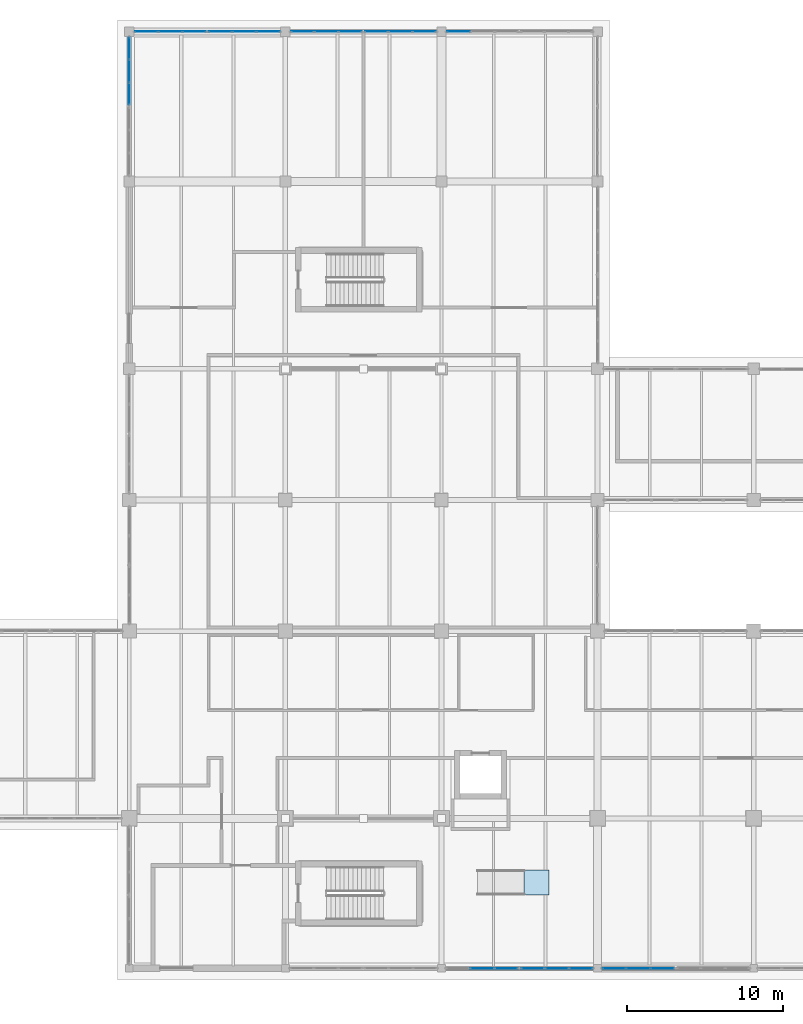
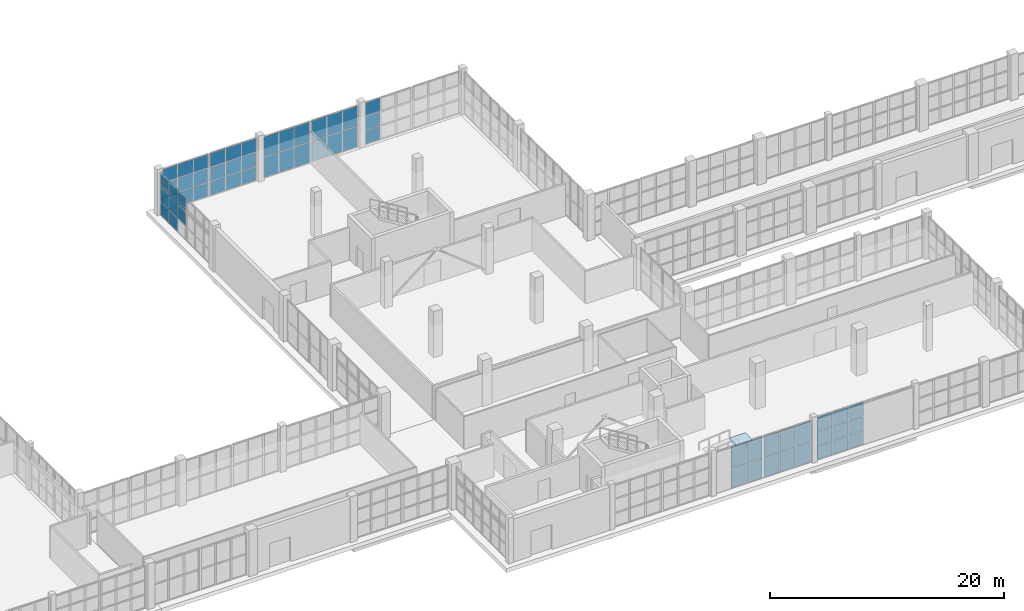
# One storey, part 84 of 121: 60 plates, 1 slab, 10 elements without a shape of their own.
"""IFC4 building model written with IfcOpenShell, lengths in metres."""

from ifc_helpers import new_model, si_unit, direction, frame, origin, origin_2d, place, context, subcontext, project, spatial, polyline, rectangle, outline, extrude, material, layer, layer_set, type_object, element, aggregate, save


model = new_model("IFC4")

# Units and contexts
model_context = context("Model", 3, precision=1e-05, world=origin(), true_north=direction((0.0, 1.0)))
body_context = subcontext(model_context, "Body", "Model", "MODEL_VIEW")
ifc_project = project(units=[si_unit("LENGTHUNIT", "METRE"), si_unit("AREAUNIT", "SQUARE_METRE"), si_unit("VOLUMEUNIT", "CUBIC_METRE"), si_unit("PLANEANGLEUNIT", "RADIAN"), si_unit("MASSUNIT", "GRAM", prefix="KILO")], contexts=[model_context])

# Site, building, storey
site_placement = place(None, origin())
site = spatial("IfcSite", under=ifc_project, at=site_placement, CompositionType="ELEMENT")
building_placement = place(site_placement, origin())
building = spatial("IfcBuilding", under=site, at=building_placement, Name="Zereglee Splitstone Museum", CompositionType="ELEMENT")
storey_placement = place(building_placement, origin())
storey = spatial("IfcBuildingStorey", under=building, at=storey_placement, Name="L00", CompositionType="ELEMENT", Elevation=0.0)

# Curtain wall, plates
ifc_material_1 = material(Name="Triple-glazed low-E argon glass and bronze-anodised aluminium", Category="aluminium")
ifc_layer_1 = layer(ifc_material_1, 0.179931640625)
ifc_layer_set_1 = layer_set([ifc_layer_1], Name="Triple-glazed low-E argon glass and bronze-anodised aluminium")
curtain_wall_type_1 = type_object("IfcCurtainWallType", Name="CW-0470-438", PredefinedType="USERDEFINED", material=ifc_layer_set_1)
curtain_wall_1_placement = place(storey_placement, origin())
curtain_wall_1 = element("IfcCurtainWall", 1, at=curtain_wall_1_placement, inside=storey, type_object=curtain_wall_type_1, Name="Glazed Curtain Wall CW-0470-438 (L00)", ObjectType="GLAZED CURTAIN WALL", PredefinedType="USERDEFINED")
ifc_material_2 = material(Name="Triple low-e argon insulated safety glass", Category="glass")
ifc_layer_2 = layer(ifc_material_2, 0.035888671875)
ifc_layer_set_2 = layer_set([ifc_layer_2], Name="Triple low-e argon insulated safety glass")
plate_type = type_object("IfcPlateType", Name="CWP-01", PredefinedType="CURTAIN_PANEL", material=ifc_layer_set_2)
plate_1_placement = place(storey_placement, frame((197.80908203125, 0.0, 0.06494140625), z_axis=(0.0, 0.0, 1.0), x_axis=(1.0, 0.0, 0.0)))
plate_1 = element("IfcPlate", 2, at=plate_1_placement, type_object=plate_type, Name="CW-0470-438 panel 2.1", PredefinedType="CURTAIN_PANEL", context=body_context, shape_type="SweptSolid", body=[
    extrude(rectangle(XDim=1.50244140625, YDim=0.035888671875, at=origin_2d()), origin(), (0.0, 0.0, 1.0), 2.092529296875),
])
plate_2_placement = place(storey_placement, frame((197.80908203125, 0.0, 2.22265625), z_axis=(0.0, 0.0, 1.0), x_axis=(1.0, 0.0, 0.0)))
plate_2 = element("IfcPlate", 3, at=plate_2_placement, type_object=plate_type, Name="CW-0470-438 panel 2.2", PredefinedType="CURTAIN_PANEL", context=body_context, shape_type="SweptSolid", body=[
    extrude(rectangle(XDim=1.50244140625, YDim=0.035888671875, at=origin_2d()), origin(), (0.0, 0.0, 1.0), 2.092529296875),
])
plate_3_placement = place(storey_placement, frame((199.360107421875, 0.0, 0.06494140625), z_axis=(0.0, 0.0, 1.0), x_axis=(1.0, 0.0, 0.0)))
plate_3 = element("IfcPlate", 4, at=plate_3_placement, type_object=plate_type, Name="CW-0470-438 panel 3.1", PredefinedType="CURTAIN_PANEL", context=body_context, shape_type="SweptSolid", body=[
    extrude(rectangle(XDim=1.4697265625, YDim=0.035888671875, at=origin_2d()), origin(), (0.0, 0.0, 1.0), 2.092529296875),
])
plate_4_placement = place(storey_placement, frame((199.360107421875, 0.0, 2.22265625), z_axis=(0.0, 0.0, 1.0), x_axis=(1.0, 0.0, 0.0)))
plate_4 = element("IfcPlate", 5, at=plate_4_placement, type_object=plate_type, Name="CW-0470-438 panel 3.2", PredefinedType="CURTAIN_PANEL", context=body_context, shape_type="SweptSolid", body=[
    extrude(rectangle(XDim=1.4697265625, YDim=0.035888671875, at=origin_2d()), origin(), (0.0, 0.0, 1.0), 2.092529296875),
])
aggregate(curtain_wall_1, [plate_1, plate_2, plate_3, plate_4])

ifc_layer_3 = layer(ifc_material_1, 0.179931640625)
ifc_layer_set_3 = layer_set([ifc_layer_3], Name="Triple-glazed low-E argon glass and bronze-anodised aluminium")
curtain_wall_type_2 = type_object("IfcCurtainWallType", Name="CW-0470-436", PredefinedType="USERDEFINED", material=ifc_layer_set_3)
curtain_wall_2_placement = place(storey_placement, origin())
curtain_wall_2 = element("IfcCurtainWall", 6, at=curtain_wall_2_placement, inside=storey, type_object=curtain_wall_type_2, Name="Glazed Curtain Wall CW-0470-436 (L00)", ObjectType="GLAZED CURTAIN WALL", PredefinedType="USERDEFINED")
plate_5_placement = place(storey_placement, frame((201.039794921875, 0.0, 0.06494140625), z_axis=(0.0, 0.0, 1.0), x_axis=(1.0, 0.0, 0.0)))
plate_5 = element("IfcPlate", 7, at=plate_5_placement, type_object=plate_type, Name="CW-0470-436 panel 1.1", PredefinedType="CURTAIN_PANEL", context=body_context, shape_type="SweptSolid", body=[
    extrude(rectangle(XDim=1.4697265625, YDim=0.035888671875, at=origin_2d()), origin(), (0.0, 0.0, 1.0), 2.08251953125),
])
plate_6_placement = place(storey_placement, frame((201.039794921875, 0.0, 2.21240234375), z_axis=(0.0, 0.0, 1.0), x_axis=(1.0, 0.0, 0.0)))
plate_6 = element("IfcPlate", 8, at=plate_6_placement, type_object=plate_type, Name="CW-0470-436 panel 1.2", PredefinedType="CURTAIN_PANEL", context=body_context, shape_type="SweptSolid", body=[
    extrude(rectangle(XDim=1.4697265625, YDim=0.035888671875, at=origin_2d()), origin(), (0.0, 0.0, 1.0), 2.08251953125),
])
plate_7_placement = place(storey_placement, frame((202.591064453125, 0.0, 0.06494140625), z_axis=(0.0, 0.0, 1.0), x_axis=(1.0, 0.0, 0.0)))
plate_7 = element("IfcPlate", 9, at=plate_7_placement, type_object=plate_type, Name="CW-0470-436 panel 2.1", PredefinedType="CURTAIN_PANEL", context=body_context, shape_type="SweptSolid", body=[
    extrude(rectangle(XDim=1.50244140625, YDim=0.035888671875, at=origin_2d()), origin(), (0.0, 0.0, 1.0), 2.08251953125),
])
plate_8_placement = place(storey_placement, frame((202.591064453125, 0.0, 2.21240234375), z_axis=(0.0, 0.0, 1.0), x_axis=(1.0, 0.0, 0.0)))
plate_8 = element("IfcPlate", 10, at=plate_8_placement, type_object=plate_type, Name="CW-0470-436 panel 2.2", PredefinedType="CURTAIN_PANEL", context=body_context, shape_type="SweptSolid", body=[
    extrude(rectangle(XDim=1.50244140625, YDim=0.035888671875, at=origin_2d()), origin(), (0.0, 0.0, 1.0), 2.08251953125),
])
plate_9_placement = place(storey_placement, frame((204.14208984375, 0.0, 0.06494140625), z_axis=(0.0, 0.0, 1.0), x_axis=(1.0, 0.0, 0.0)))
plate_9 = element("IfcPlate", 11, at=plate_9_placement, type_object=plate_type, Name="CW-0470-436 panel 3.1", PredefinedType="CURTAIN_PANEL", context=body_context, shape_type="SweptSolid", body=[
    extrude(rectangle(XDim=1.4697265625, YDim=0.035888671875, at=origin_2d()), origin(), (0.0, 0.0, 1.0), 2.08251953125),
])
plate_10_placement = place(storey_placement, frame((204.14208984375, 0.0, 2.21240234375), z_axis=(0.0, 0.0, 1.0), x_axis=(1.0, 0.0, 0.0)))
plate_10 = element("IfcPlate", 12, at=plate_10_placement, type_object=plate_type, Name="CW-0470-436 panel 3.2", PredefinedType="CURTAIN_PANEL", context=body_context, shape_type="SweptSolid", body=[
    extrude(rectangle(XDim=1.4697265625, YDim=0.035888671875, at=origin_2d()), origin(), (0.0, 0.0, 1.0), 2.08251953125),
])
aggregate(curtain_wall_2, [plate_5, plate_6, plate_7, plate_8, plate_9, plate_10])

ifc_layer_4 = layer(ifc_material_1, 0.179931640625)
ifc_layer_set_4 = layer_set([ifc_layer_4], Name="Triple-glazed low-E argon glass and bronze-anodised aluminium")
curtain_wall_type_3 = type_object("IfcCurtainWallType", Name="CW-0470-450", PredefinedType="USERDEFINED", material=ifc_layer_set_4)
curtain_wall_3_placement = place(storey_placement, origin())
curtain_wall_3 = element("IfcCurtainWall", 13, at=curtain_wall_3_placement, inside=storey, type_object=curtain_wall_type_3, Name="Glazed Curtain Wall CW-0470-450 (L00)", ObjectType="GLAZED CURTAIN WALL", PredefinedType="USERDEFINED")
plate_11_placement = place(storey_placement, frame((206.2578125, 0.0, 0.06494140625), z_axis=(0.0, 0.0, 1.0), x_axis=(1.0, 0.0, 0.0)))
plate_11 = element("IfcPlate", 14, at=plate_11_placement, type_object=plate_type, Name="CW-0470-450 panel 1.1", PredefinedType="CURTAIN_PANEL", context=body_context, shape_type="SweptSolid", body=[
    extrude(rectangle(XDim=1.4697265625, YDim=0.035888671875, at=origin_2d()), origin(), (0.0, 0.0, 1.0), 1.402587890625),
])
plate_12_placement = place(storey_placement, frame((206.2578125, 0.0, 1.532470703125), z_axis=(0.0, 0.0, 1.0), x_axis=(1.0, 0.0, 0.0)))
plate_12 = element("IfcPlate", 15, at=plate_12_placement, type_object=plate_type, Name="CW-0470-450 panel 1.2", PredefinedType="CURTAIN_PANEL", context=body_context, shape_type="SweptSolid", body=[
    extrude(rectangle(XDim=1.4697265625, YDim=0.035888671875, at=origin_2d()), origin(), (0.0, 0.0, 1.0), 1.43505859375),
])
plate_13_placement = place(storey_placement, frame((206.2578125, 0.0, 3.0322265625), z_axis=(0.0, 0.0, 1.0), x_axis=(1.0, 0.0, 0.0)))
plate_13 = element("IfcPlate", 16, at=plate_13_placement, type_object=plate_type, Name="CW-0470-450 panel 1.3", PredefinedType="CURTAIN_PANEL", context=body_context, shape_type="SweptSolid", body=[
    extrude(rectangle(XDim=1.4697265625, YDim=0.035888671875, at=origin_2d()), origin(), (0.0, 0.0, 1.0), 1.402587890625),
])
plate_14_placement = place(storey_placement, frame((207.80908203125, 0.0, 0.06494140625), z_axis=(0.0, 0.0, 1.0), x_axis=(1.0, 0.0, 0.0)))
plate_14 = element("IfcPlate", 17, at=plate_14_placement, type_object=plate_type, Name="CW-0470-450 panel 2.1", PredefinedType="CURTAIN_PANEL", context=body_context, shape_type="SweptSolid", body=[
    extrude(rectangle(XDim=1.50244140625, YDim=0.035888671875, at=origin_2d()), origin(), (0.0, 0.0, 1.0), 1.402587890625),
])
plate_15_placement = place(storey_placement, frame((207.80908203125, 0.0, 1.532470703125), z_axis=(0.0, 0.0, 1.0), x_axis=(1.0, 0.0, 0.0)))
plate_15 = element("IfcPlate", 18, at=plate_15_placement, type_object=plate_type, Name="CW-0470-450 panel 2.2", PredefinedType="CURTAIN_PANEL", context=body_context, shape_type="SweptSolid", body=[
    extrude(rectangle(XDim=1.50244140625, YDim=0.035888671875, at=origin_2d()), origin(), (0.0, 0.0, 1.0), 1.43505859375),
])
plate_16_placement = place(storey_placement, frame((207.80908203125, 0.0, 3.0322265625), z_axis=(0.0, 0.0, 1.0), x_axis=(1.0, 0.0, 0.0)))
plate_16 = element("IfcPlate", 19, at=plate_16_placement, type_object=plate_type, Name="CW-0470-450 panel 2.3", PredefinedType="CURTAIN_PANEL", context=body_context, shape_type="SweptSolid", body=[
    extrude(rectangle(XDim=1.50244140625, YDim=0.035888671875, at=origin_2d()), origin(), (0.0, 0.0, 1.0), 1.402587890625),
])
plate_17_placement = place(storey_placement, frame((209.360107421875, 0.0, 0.06494140625), z_axis=(0.0, 0.0, 1.0), x_axis=(1.0, 0.0, 0.0)))
plate_17 = element("IfcPlate", 20, at=plate_17_placement, type_object=plate_type, Name="CW-0470-450 panel 3.1", PredefinedType="CURTAIN_PANEL", context=body_context, shape_type="SweptSolid", body=[
    extrude(rectangle(XDim=1.4697265625, YDim=0.035888671875, at=origin_2d()), origin(), (0.0, 0.0, 1.0), 1.402587890625),
])
plate_18_placement = place(storey_placement, frame((209.360107421875, 0.0, 1.532470703125), z_axis=(0.0, 0.0, 1.0), x_axis=(1.0, 0.0, 0.0)))
plate_18 = element("IfcPlate", 21, at=plate_18_placement, type_object=plate_type, Name="CW-0470-450 panel 3.2", PredefinedType="CURTAIN_PANEL", context=body_context, shape_type="SweptSolid", body=[
    extrude(rectangle(XDim=1.4697265625, YDim=0.035888671875, at=origin_2d()), origin(), (0.0, 0.0, 1.0), 1.43505859375),
])
plate_19_placement = place(storey_placement, frame((209.360107421875, 0.0, 3.0322265625), z_axis=(0.0, 0.0, 1.0), x_axis=(1.0, 0.0, 0.0)))
plate_19 = element("IfcPlate", 22, at=plate_19_placement, type_object=plate_type, Name="CW-0470-450 panel 3.3", PredefinedType="CURTAIN_PANEL", context=body_context, shape_type="SweptSolid", body=[
    extrude(rectangle(XDim=1.4697265625, YDim=0.035888671875, at=origin_2d()), origin(), (0.0, 0.0, 1.0), 1.402587890625),
])
aggregate(curtain_wall_3, [plate_11, plate_12, plate_13, plate_14, plate_15, plate_16, plate_17, plate_18, plate_19])

ifc_layer_5 = layer(ifc_material_1, 0.179931640625)
ifc_layer_set_5 = layer_set([ifc_layer_5], Name="Triple-glazed low-E argon glass and bronze-anodised aluminium")
curtain_wall_type_4 = type_object("IfcCurtainWallType", Name="CW-0465-442", PredefinedType="USERDEFINED", material=ifc_layer_set_5)
curtain_wall_4_placement = place(storey_placement, origin())
curtain_wall_4 = element("IfcCurtainWall", 23, at=curtain_wall_4_placement, inside=storey, type_object=curtain_wall_type_4, Name="Glazed Curtain Wall CW-0465-442 (L00)", ObjectType="GLAZED CURTAIN WALL", PredefinedType="USERDEFINED")
plate_20_placement = place(storey_placement, frame((196.299560546875, 60.0, 0.06494140625), z_axis=(0.0, 0.0, 1.0), x_axis=(-1.0, 0.0, 0.0)))
plate_20 = element("IfcPlate", 24, at=plate_20_placement, type_object=plate_type, Name="CW-0465-442 panel 3.1", PredefinedType="CURTAIN_PANEL", context=body_context, shape_type="SweptSolid", body=[
    extrude(rectangle(XDim=1.453125, YDim=0.035888671875, at=origin_2d()), origin(), (0.0, 0.0, 1.0), 1.375732421875),
])
plate_21_placement = place(storey_placement, frame((196.299560546875, 60.0, 1.505859375), z_axis=(0.0, 0.0, 1.0), x_axis=(-1.0, 0.0, 0.0)))
plate_21 = element("IfcPlate", 25, at=plate_21_placement, type_object=plate_type, Name="CW-0465-442 panel 3.2", PredefinedType="CURTAIN_PANEL", context=body_context, shape_type="SweptSolid", body=[
    extrude(rectangle(XDim=1.453125, YDim=0.035888671875, at=origin_2d()), origin(), (0.0, 0.0, 1.0), 1.408447265625),
])
plate_22_placement = place(storey_placement, frame((196.299560546875, 60.0, 2.97900390625), z_axis=(0.0, 0.0, 1.0), x_axis=(-1.0, 0.0, 0.0)))
plate_22 = element("IfcPlate", 26, at=plate_22_placement, type_object=plate_type, Name="CW-0465-442 panel 3.3", PredefinedType="CURTAIN_PANEL", context=body_context, shape_type="SweptSolid", body=[
    extrude(rectangle(XDim=1.453125, YDim=0.035888671875, at=origin_2d()), origin(), (0.0, 0.0, 1.0), 1.375732421875),
])
aggregate(curtain_wall_4, [plate_20, plate_21, plate_22])

ifc_layer_6 = layer(ifc_material_1, 0.179931640625)
ifc_layer_set_6 = layer_set([ifc_layer_6], Name="Triple-glazed low-E argon glass and bronze-anodised aluminium")
curtain_wall_type_5 = type_object("IfcCurtainWallType", Name="CW-0465-438", PredefinedType="USERDEFINED", material=ifc_layer_set_6)
curtain_wall_5_placement = place(storey_placement, origin())
curtain_wall_5 = element("IfcCurtainWall", 27, at=curtain_wall_5_placement, inside=storey, type_object=curtain_wall_type_5, Name="Glazed Curtain Wall CW-0465-438 (L00)", ObjectType="GLAZED CURTAIN WALL", PredefinedType="USERDEFINED")
plate_23_placement = place(storey_placement, frame((194.100341796875, 60.0, 0.06494140625), z_axis=(0.0, 0.0, 1.0), x_axis=(-1.0, 0.0, 0.0)))
plate_23 = element("IfcPlate", 28, at=plate_23_placement, type_object=plate_type, Name="CW-0465-438 panel 1.1", PredefinedType="CURTAIN_PANEL", context=body_context, shape_type="SweptSolid", body=[
    extrude(rectangle(XDim=1.453125, YDim=0.035888671875, at=origin_2d()), origin(), (0.0, 0.0, 1.0), 2.092529296875),
])
plate_24_placement = place(storey_placement, frame((194.100341796875, 60.0, 2.22265625), z_axis=(0.0, 0.0, 1.0), x_axis=(-1.0, 0.0, 0.0)))
plate_24 = element("IfcPlate", 29, at=plate_24_placement, type_object=plate_type, Name="CW-0465-438 panel 1.2", PredefinedType="CURTAIN_PANEL", context=body_context, shape_type="SweptSolid", body=[
    extrude(rectangle(XDim=1.453125, YDim=0.035888671875, at=origin_2d()), origin(), (0.0, 0.0, 1.0), 2.092529296875),
])
plate_25_placement = place(storey_placement, frame((192.56591796875, 60.0, 0.06494140625), z_axis=(0.0, 0.0, 1.0), x_axis=(-1.0, 0.0, 0.0)))
plate_25 = element("IfcPlate", 30, at=plate_25_placement, type_object=plate_type, Name="CW-0465-438 panel 2.1", PredefinedType="CURTAIN_PANEL", context=body_context, shape_type="SweptSolid", body=[
    extrude(rectangle(XDim=1.485595703125, YDim=0.035888671875, at=origin_2d()), origin(), (0.0, 0.0, 1.0), 2.092529296875),
])
plate_26_placement = place(storey_placement, frame((192.56591796875, 60.0, 2.22265625), z_axis=(0.0, 0.0, 1.0), x_axis=(-1.0, 0.0, 0.0)))
plate_26 = element("IfcPlate", 31, at=plate_26_placement, type_object=plate_type, Name="CW-0465-438 panel 2.2", PredefinedType="CURTAIN_PANEL", context=body_context, shape_type="SweptSolid", body=[
    extrude(rectangle(XDim=1.485595703125, YDim=0.035888671875, at=origin_2d()), origin(), (0.0, 0.0, 1.0), 2.092529296875),
])
plate_27_placement = place(storey_placement, frame((191.031494140625, 60.0, 0.06494140625), z_axis=(0.0, 0.0, 1.0), x_axis=(-1.0, 0.0, 0.0)))
plate_27 = element("IfcPlate", 32, at=plate_27_placement, type_object=plate_type, Name="CW-0465-438 panel 3.1", PredefinedType="CURTAIN_PANEL", context=body_context, shape_type="SweptSolid", body=[
    extrude(rectangle(XDim=1.453125, YDim=0.035888671875, at=origin_2d()), origin(), (0.0, 0.0, 1.0), 2.092529296875),
])
plate_28_placement = place(storey_placement, frame((191.031494140625, 60.0, 2.22265625), z_axis=(0.0, 0.0, 1.0), x_axis=(-1.0, 0.0, 0.0)))
plate_28 = element("IfcPlate", 33, at=plate_28_placement, type_object=plate_type, Name="CW-0465-438 panel 3.2", PredefinedType="CURTAIN_PANEL", context=body_context, shape_type="SweptSolid", body=[
    extrude(rectangle(XDim=1.453125, YDim=0.035888671875, at=origin_2d()), origin(), (0.0, 0.0, 1.0), 2.092529296875),
])
aggregate(curtain_wall_5, [plate_23, plate_24, plate_25, plate_26, plate_27, plate_28])

ifc_layer_7 = layer(ifc_material_1, 0.179931640625)
ifc_layer_set_7 = layer_set([ifc_layer_7], Name="Triple-glazed low-E argon glass and bronze-anodised aluminium")
curtain_wall_type_6 = type_object("IfcCurtainWallType", Name="CW-0465-436", PredefinedType="USERDEFINED", material=ifc_layer_set_7)
curtain_wall_6_placement = place(storey_placement, origin())
curtain_wall_6 = element("IfcCurtainWall", 34, at=curtain_wall_6_placement, inside=storey, type_object=curtain_wall_type_6, Name="Glazed Curtain Wall CW-0465-436 (L00)", ObjectType="GLAZED CURTAIN WALL", PredefinedType="USERDEFINED")
plate_29_placement = place(storey_placement, frame((189.368408203125, 60.0, 0.06494140625), z_axis=(0.0, 0.0, 1.0), x_axis=(-1.0, 0.0, 0.0)))
plate_29 = element("IfcPlate", 35, at=plate_29_placement, type_object=plate_type, Name="CW-0465-436 panel 1.1", PredefinedType="CURTAIN_PANEL", context=body_context, shape_type="SweptSolid", body=[
    extrude(rectangle(XDim=1.453125, YDim=0.035888671875, at=origin_2d()), origin(), (0.0, 0.0, 1.0), 2.08251953125),
])
plate_30_placement = place(storey_placement, frame((189.368408203125, 60.0, 2.21240234375), z_axis=(0.0, 0.0, 1.0), x_axis=(-1.0, 0.0, 0.0)))
plate_30 = element("IfcPlate", 36, at=plate_30_placement, type_object=plate_type, Name="CW-0465-436 panel 1.2", PredefinedType="CURTAIN_PANEL", context=body_context, shape_type="SweptSolid", body=[
    extrude(rectangle(XDim=1.453125, YDim=0.035888671875, at=origin_2d()), origin(), (0.0, 0.0, 1.0), 2.08251953125),
])
plate_31_placement = place(storey_placement, frame((187.833984375, 60.0, 0.06494140625), z_axis=(0.0, 0.0, 1.0), x_axis=(-1.0, 0.0, 0.0)))
plate_31 = element("IfcPlate", 37, at=plate_31_placement, type_object=plate_type, Name="CW-0465-436 panel 2.1", PredefinedType="CURTAIN_PANEL", context=body_context, shape_type="SweptSolid", body=[
    extrude(rectangle(XDim=1.485595703125, YDim=0.035888671875, at=origin_2d()), origin(), (0.0, 0.0, 1.0), 2.08251953125),
])
plate_32_placement = place(storey_placement, frame((187.833984375, 60.0, 2.21240234375), z_axis=(0.0, 0.0, 1.0), x_axis=(-1.0, 0.0, 0.0)))
plate_32 = element("IfcPlate", 38, at=plate_32_placement, type_object=plate_type, Name="CW-0465-436 panel 2.2", PredefinedType="CURTAIN_PANEL", context=body_context, shape_type="SweptSolid", body=[
    extrude(rectangle(XDim=1.485595703125, YDim=0.035888671875, at=origin_2d()), origin(), (0.0, 0.0, 1.0), 2.08251953125),
])
plate_33_placement = place(storey_placement, frame((186.299560546875, 60.0, 0.06494140625), z_axis=(0.0, 0.0, 1.0), x_axis=(-1.0, 0.0, 0.0)))
plate_33 = element("IfcPlate", 39, at=plate_33_placement, type_object=plate_type, Name="CW-0465-436 panel 3.1", PredefinedType="CURTAIN_PANEL", context=body_context, shape_type="SweptSolid", body=[
    extrude(rectangle(XDim=1.453125, YDim=0.035888671875, at=origin_2d()), origin(), (0.0, 0.0, 1.0), 2.08251953125),
])
plate_34_placement = place(storey_placement, frame((186.299560546875, 60.0, 2.21240234375), z_axis=(0.0, 0.0, 1.0), x_axis=(-1.0, 0.0, 0.0)))
plate_34 = element("IfcPlate", 40, at=plate_34_placement, type_object=plate_type, Name="CW-0465-436 panel 3.2", PredefinedType="CURTAIN_PANEL", context=body_context, shape_type="SweptSolid", body=[
    extrude(rectangle(XDim=1.453125, YDim=0.035888671875, at=origin_2d()), origin(), (0.0, 0.0, 1.0), 2.08251953125),
])
aggregate(curtain_wall_6, [plate_29, plate_30, plate_31, plate_32, plate_33, plate_34])

ifc_layer_8 = layer(ifc_material_1, 0.179931640625)
ifc_layer_set_8 = layer_set([ifc_layer_8], Name="Triple-glazed low-E argon glass and bronze-anodised aluminium")
curtain_wall_type_7 = type_object("IfcCurtainWallType", Name="CW-0465-450", PredefinedType="USERDEFINED", material=ifc_layer_set_8)
curtain_wall_7_placement = place(storey_placement, origin())
curtain_wall_7 = element("IfcCurtainWall", 41, at=curtain_wall_7_placement, inside=storey, type_object=curtain_wall_type_7, Name="Glazed Curtain Wall CW-0465-450 (L00)", ObjectType="GLAZED CURTAIN WALL", PredefinedType="USERDEFINED")
plate_35_placement = place(storey_placement, frame((184.100341796875, 60.0, 0.06494140625), z_axis=(0.0, 0.0, 1.0), x_axis=(-1.0, 0.0, 0.0)))
plate_35 = element("IfcPlate", 42, at=plate_35_placement, type_object=plate_type, Name="CW-0465-450 panel 1.1", PredefinedType="CURTAIN_PANEL", context=body_context, shape_type="SweptSolid", body=[
    extrude(rectangle(XDim=1.453125, YDim=0.035888671875, at=origin_2d()), origin(), (0.0, 0.0, 1.0), 1.402587890625),
])
plate_36_placement = place(storey_placement, frame((184.100341796875, 60.0, 1.532470703125), z_axis=(0.0, 0.0, 1.0), x_axis=(-1.0, 0.0, 0.0)))
plate_36 = element("IfcPlate", 43, at=plate_36_placement, type_object=plate_type, Name="CW-0465-450 panel 1.2", PredefinedType="CURTAIN_PANEL", context=body_context, shape_type="SweptSolid", body=[
    extrude(rectangle(XDim=1.453125, YDim=0.035888671875, at=origin_2d()), origin(), (0.0, 0.0, 1.0), 1.43505859375),
])
plate_37_placement = place(storey_placement, frame((184.100341796875, 60.0, 3.0322265625), z_axis=(0.0, 0.0, 1.0), x_axis=(-1.0, 0.0, 0.0)))
plate_37 = element("IfcPlate", 44, at=plate_37_placement, type_object=plate_type, Name="CW-0465-450 panel 1.3", PredefinedType="CURTAIN_PANEL", context=body_context, shape_type="SweptSolid", body=[
    extrude(rectangle(XDim=1.453125, YDim=0.035888671875, at=origin_2d()), origin(), (0.0, 0.0, 1.0), 1.402587890625),
])
plate_38_placement = place(storey_placement, frame((182.56591796875, 60.0, 0.06494140625), z_axis=(0.0, 0.0, 1.0), x_axis=(-1.0, 0.0, 0.0)))
plate_38 = element("IfcPlate", 45, at=plate_38_placement, type_object=plate_type, Name="CW-0465-450 panel 2.1", PredefinedType="CURTAIN_PANEL", context=body_context, shape_type="SweptSolid", body=[
    extrude(rectangle(XDim=1.485595703125, YDim=0.035888671875, at=origin_2d()), origin(), (0.0, 0.0, 1.0), 1.402587890625),
])
plate_39_placement = place(storey_placement, frame((182.56591796875, 60.0, 1.532470703125), z_axis=(0.0, 0.0, 1.0), x_axis=(-1.0, 0.0, 0.0)))
plate_39 = element("IfcPlate", 46, at=plate_39_placement, type_object=plate_type, Name="CW-0465-450 panel 2.2", PredefinedType="CURTAIN_PANEL", context=body_context, shape_type="SweptSolid", body=[
    extrude(rectangle(XDim=1.485595703125, YDim=0.035888671875, at=origin_2d()), origin(), (0.0, 0.0, 1.0), 1.43505859375),
])
plate_40_placement = place(storey_placement, frame((182.56591796875, 60.0, 3.0322265625), z_axis=(0.0, 0.0, 1.0), x_axis=(-1.0, 0.0, 0.0)))
plate_40 = element("IfcPlate", 47, at=plate_40_placement, type_object=plate_type, Name="CW-0465-450 panel 2.3", PredefinedType="CURTAIN_PANEL", context=body_context, shape_type="SweptSolid", body=[
    extrude(rectangle(XDim=1.485595703125, YDim=0.035888671875, at=origin_2d()), origin(), (0.0, 0.0, 1.0), 1.402587890625),
])
plate_41_placement = place(storey_placement, frame((181.031494140625, 60.0, 0.06494140625), z_axis=(0.0, 0.0, 1.0), x_axis=(-1.0, 0.0, 0.0)))
plate_41 = element("IfcPlate", 48, at=plate_41_placement, type_object=plate_type, Name="CW-0465-450 panel 3.1", PredefinedType="CURTAIN_PANEL", context=body_context, shape_type="SweptSolid", body=[
    extrude(rectangle(XDim=1.453125, YDim=0.035888671875, at=origin_2d()), origin(), (0.0, 0.0, 1.0), 1.402587890625),
])
plate_42_placement = place(storey_placement, frame((181.031494140625, 60.0, 1.532470703125), z_axis=(0.0, 0.0, 1.0), x_axis=(-1.0, 0.0, 0.0)))
plate_42 = element("IfcPlate", 49, at=plate_42_placement, type_object=plate_type, Name="CW-0465-450 panel 3.2", PredefinedType="CURTAIN_PANEL", context=body_context, shape_type="SweptSolid", body=[
    extrude(rectangle(XDim=1.453125, YDim=0.035888671875, at=origin_2d()), origin(), (0.0, 0.0, 1.0), 1.43505859375),
])
plate_43_placement = place(storey_placement, frame((181.031494140625, 60.0, 3.0322265625), z_axis=(0.0, 0.0, 1.0), x_axis=(-1.0, 0.0, 0.0)))
plate_43 = element("IfcPlate", 50, at=plate_43_placement, type_object=plate_type, Name="CW-0465-450 panel 3.3", PredefinedType="CURTAIN_PANEL", context=body_context, shape_type="SweptSolid", body=[
    extrude(rectangle(XDim=1.453125, YDim=0.035888671875, at=origin_2d()), origin(), (0.0, 0.0, 1.0), 1.402587890625),
])
aggregate(curtain_wall_7, [plate_35, plate_36, plate_37, plate_38, plate_39, plate_40, plate_41, plate_42, plate_43])

ifc_layer_9 = layer(ifc_material_1, 0.179931640625)
ifc_layer_set_9 = layer_set([ifc_layer_9], Name="Triple-glazed low-E argon glass and bronze-anodised aluminium")
curtain_wall_type_8 = type_object("IfcCurtainWallType", Name="CW-0465-448", PredefinedType="USERDEFINED", material=ifc_layer_set_9)
curtain_wall_8_placement = place(storey_placement, origin())
curtain_wall_8 = element("IfcCurtainWall", 51, at=curtain_wall_8_placement, inside=storey, type_object=curtain_wall_type_8, Name="Glazed Curtain Wall CW-0465-448 (L00)", ObjectType="GLAZED CURTAIN WALL", PredefinedType="USERDEFINED")
plate_44_placement = place(storey_placement, frame((179.368408203125, 60.0, 0.06494140625), z_axis=(0.0, 0.0, 1.0), x_axis=(-1.0, 0.0, 0.0)))
plate_44 = element("IfcPlate", 52, at=plate_44_placement, type_object=plate_type, Name="CW-0465-448 panel 1.1", PredefinedType="CURTAIN_PANEL", context=body_context, shape_type="SweptSolid", body=[
    extrude(rectangle(XDim=1.453125, YDim=0.035888671875, at=origin_2d()), origin(), (0.0, 0.0, 1.0), 1.395751953125),
])
plate_45_placement = place(storey_placement, frame((179.368408203125, 60.0, 1.52587890625), z_axis=(0.0, 0.0, 1.0), x_axis=(-1.0, 0.0, 0.0)))
plate_45 = element("IfcPlate", 53, at=plate_45_placement, type_object=plate_type, Name="CW-0465-448 panel 1.2", PredefinedType="CURTAIN_PANEL", context=body_context, shape_type="SweptSolid", body=[
    extrude(rectangle(XDim=1.453125, YDim=0.035888671875, at=origin_2d()), origin(), (0.0, 0.0, 1.0), 1.428466796875),
])
plate_46_placement = place(storey_placement, frame((179.368408203125, 60.0, 3.01904296875), z_axis=(0.0, 0.0, 1.0), x_axis=(-1.0, 0.0, 0.0)))
plate_46 = element("IfcPlate", 54, at=plate_46_placement, type_object=plate_type, Name="CW-0465-448 panel 1.3", PredefinedType="CURTAIN_PANEL", context=body_context, shape_type="SweptSolid", body=[
    extrude(rectangle(XDim=1.453125, YDim=0.035888671875, at=origin_2d()), origin(), (0.0, 0.0, 1.0), 1.395751953125),
])
plate_47_placement = place(storey_placement, frame((177.833984375, 60.0, 0.06494140625), z_axis=(0.0, 0.0, 1.0), x_axis=(-1.0, 0.0, 0.0)))
plate_47 = element("IfcPlate", 55, at=plate_47_placement, type_object=plate_type, Name="CW-0465-448 panel 2.1", PredefinedType="CURTAIN_PANEL", context=body_context, shape_type="SweptSolid", body=[
    extrude(rectangle(XDim=1.485595703125, YDim=0.035888671875, at=origin_2d()), origin(), (0.0, 0.0, 1.0), 1.395751953125),
])
plate_48_placement = place(storey_placement, frame((177.833984375, 60.0, 1.52587890625), z_axis=(0.0, 0.0, 1.0), x_axis=(-1.0, 0.0, 0.0)))
plate_48 = element("IfcPlate", 56, at=plate_48_placement, type_object=plate_type, Name="CW-0465-448 panel 2.2", PredefinedType="CURTAIN_PANEL", context=body_context, shape_type="SweptSolid", body=[
    extrude(rectangle(XDim=1.485595703125, YDim=0.035888671875, at=origin_2d()), origin(), (0.0, 0.0, 1.0), 1.428466796875),
])
plate_49_placement = place(storey_placement, frame((177.833984375, 60.0, 3.01904296875), z_axis=(0.0, 0.0, 1.0), x_axis=(-1.0, 0.0, 0.0)))
plate_49 = element("IfcPlate", 57, at=plate_49_placement, type_object=plate_type, Name="CW-0465-448 panel 2.3", PredefinedType="CURTAIN_PANEL", context=body_context, shape_type="SweptSolid", body=[
    extrude(rectangle(XDim=1.485595703125, YDim=0.035888671875, at=origin_2d()), origin(), (0.0, 0.0, 1.0), 1.395751953125),
])
plate_50_placement = place(storey_placement, frame((176.299560546875, 60.0, 0.06494140625), z_axis=(0.0, 0.0, 1.0), x_axis=(-1.0, 0.0, 0.0)))
plate_50 = element("IfcPlate", 58, at=plate_50_placement, type_object=plate_type, Name="CW-0465-448 panel 3.1", PredefinedType="CURTAIN_PANEL", context=body_context, shape_type="SweptSolid", body=[
    extrude(rectangle(XDim=1.453125, YDim=0.035888671875, at=origin_2d()), origin(), (0.0, 0.0, 1.0), 1.395751953125),
])
plate_51_placement = place(storey_placement, frame((176.299560546875, 60.0, 1.52587890625), z_axis=(0.0, 0.0, 1.0), x_axis=(-1.0, 0.0, 0.0)))
plate_51 = element("IfcPlate", 59, at=plate_51_placement, type_object=plate_type, Name="CW-0465-448 panel 3.2", PredefinedType="CURTAIN_PANEL", context=body_context, shape_type="SweptSolid", body=[
    extrude(rectangle(XDim=1.453125, YDim=0.035888671875, at=origin_2d()), origin(), (0.0, 0.0, 1.0), 1.428466796875),
])
plate_52_placement = place(storey_placement, frame((176.299560546875, 60.0, 3.01904296875), z_axis=(0.0, 0.0, 1.0), x_axis=(-1.0, 0.0, 0.0)))
plate_52 = element("IfcPlate", 60, at=plate_52_placement, type_object=plate_type, Name="CW-0465-448 panel 3.3", PredefinedType="CURTAIN_PANEL", context=body_context, shape_type="SweptSolid", body=[
    extrude(rectangle(XDim=1.453125, YDim=0.035888671875, at=origin_2d()), origin(), (0.0, 0.0, 1.0), 1.395751953125),
])
aggregate(curtain_wall_8, [plate_44, plate_45, plate_46, plate_47, plate_48, plate_49, plate_50, plate_51, plate_52])

ifc_layer_10 = layer(ifc_material_1, 0.179931640625)
ifc_layer_set_10 = layer_set([ifc_layer_10], Name="Triple-glazed low-E argon glass and bronze-anodised aluminium")
curtain_wall_type_9 = type_object("IfcCurtainWallType", Name="CW-0443-444", PredefinedType="USERDEFINED", material=ifc_layer_set_10)
curtain_wall_9_placement = place(storey_placement, origin())
curtain_wall_9 = element("IfcCurtainWall", 61, at=curtain_wall_9_placement, inside=storey, type_object=curtain_wall_type_9, Name="Glazed Curtain Wall CW-0443-444 (L00)", ObjectType="GLAZED CURTAIN WALL", PredefinedType="USERDEFINED")
plate_53_placement = place(storey_placement, frame((175.199951171875, 58.93798828125, 0.06494140625), z_axis=(0.0, 0.0, 1.0), x_axis=(0.0, -1.0, 0.0)))
plate_53 = element("IfcPlate", 62, at=plate_53_placement, type_object=plate_type, Name="CW-0443-444 panel 1.1", PredefinedType="CURTAIN_PANEL", context=body_context, shape_type="SweptSolid", body=[
    extrude(rectangle(XDim=1.378173828125, YDim=0.035888671875, at=origin_2d()), origin(), (0.0, 0.0, 1.0), 1.382568359375),
])
plate_54_placement = place(storey_placement, frame((175.199951171875, 58.93798828125, 1.512451171875), z_axis=(0.0, 0.0, 1.0), x_axis=(0.0, -1.0, 0.0)))
plate_54 = element("IfcPlate", 63, at=plate_54_placement, type_object=plate_type, Name="CW-0443-444 panel 1.2", PredefinedType="CURTAIN_PANEL", context=body_context, shape_type="SweptSolid", body=[
    extrude(rectangle(XDim=1.378173828125, YDim=0.035888671875, at=origin_2d()), origin(), (0.0, 0.0, 1.0), 1.4150390625),
])
plate_55_placement = place(storey_placement, frame((175.199951171875, 58.93798828125, 2.99267578125), z_axis=(0.0, 0.0, 1.0), x_axis=(0.0, -1.0, 0.0)))
plate_55 = element("IfcPlate", 64, at=plate_55_placement, type_object=plate_type, Name="CW-0443-444 panel 1.3", PredefinedType="CURTAIN_PANEL", context=body_context, shape_type="SweptSolid", body=[
    extrude(rectangle(XDim=1.378173828125, YDim=0.035888671875, at=origin_2d()), origin(), (0.0, 0.0, 1.0), 1.382568359375),
])
plate_56_placement = place(storey_placement, frame((175.199951171875, 57.478515625, 0.06494140625), z_axis=(0.0, 0.0, 1.0), x_axis=(0.0, -1.0, 0.0)))
plate_56 = element("IfcPlate", 65, at=plate_56_placement, type_object=plate_type, Name="CW-0443-444 panel 2.1", PredefinedType="CURTAIN_PANEL", context=body_context, shape_type="SweptSolid", body=[
    extrude(rectangle(XDim=1.41064453125, YDim=0.035888671875, at=origin_2d()), origin(), (0.0, 0.0, 1.0), 1.382568359375),
])
plate_57_placement = place(storey_placement, frame((175.199951171875, 57.478515625, 1.512451171875), z_axis=(0.0, 0.0, 1.0), x_axis=(0.0, -1.0, 0.0)))
plate_57 = element("IfcPlate", 66, at=plate_57_placement, type_object=plate_type, Name="CW-0443-444 panel 2.2", PredefinedType="CURTAIN_PANEL", context=body_context, shape_type="SweptSolid", body=[
    extrude(rectangle(XDim=1.41064453125, YDim=0.035888671875, at=origin_2d()), origin(), (0.0, 0.0, 1.0), 1.4150390625),
])
plate_58_placement = place(storey_placement, frame((175.199951171875, 57.478515625, 2.99267578125), z_axis=(0.0, 0.0, 1.0), x_axis=(0.0, -1.0, 0.0)))
plate_58 = element("IfcPlate", 67, at=plate_58_placement, type_object=plate_type, Name="CW-0443-444 panel 2.3", PredefinedType="CURTAIN_PANEL", context=body_context, shape_type="SweptSolid", body=[
    extrude(rectangle(XDim=1.41064453125, YDim=0.035888671875, at=origin_2d()), origin(), (0.0, 0.0, 1.0), 1.382568359375),
])
plate_59_placement = place(storey_placement, frame((175.199951171875, 56.01904296875, 1.512451171875), z_axis=(0.0, 0.0, 1.0), x_axis=(0.0, -1.0, 0.0)))
plate_59 = element("IfcPlate", 68, at=plate_59_placement, type_object=plate_type, Name="CW-0443-444 panel 3.2", PredefinedType="CURTAIN_PANEL", context=body_context, shape_type="SweptSolid", body=[
    extrude(rectangle(XDim=1.378173828125, YDim=0.035888671875, at=origin_2d()), origin(), (0.0, 0.0, 1.0), 1.4150390625),
])
plate_60_placement = place(storey_placement, frame((175.199951171875, 56.01904296875, 2.99267578125), z_axis=(0.0, 0.0, 1.0), x_axis=(0.0, -1.0, 0.0)))
plate_60 = element("IfcPlate", 69, at=plate_60_placement, type_object=plate_type, Name="CW-0443-444 panel 3.3", PredefinedType="CURTAIN_PANEL", context=body_context, shape_type="SweptSolid", body=[
    extrude(rectangle(XDim=1.378173828125, YDim=0.035888671875, at=origin_2d()), origin(), (0.0, 0.0, 1.0), 1.382568359375),
])
aggregate(curtain_wall_9, [plate_53, plate_54, plate_55, plate_56, plate_57, plate_58, plate_59, plate_60])

# Ramp, slab
ifc_material_3 = material(Name="Concrete C35/45", Category="concrete")
ramp_type = type_object("IfcRampType", Name="RMP-01", PredefinedType="STRAIGHT_RUN_RAMP", material=ifc_material_3)
ramp_placement = place(storey_placement, origin())
ramp = element("IfcRamp", 70, at=ramp_placement, inside=storey, type_object=ramp_type, Name="Ecology Diorama Accessible Ramp AR-3", PredefinedType="STRAIGHT_RUN_RAMP")
ifc_layer_11 = layer(ifc_material_3, 0.25)
ifc_layer_set_11 = layer_set([ifc_layer_11], Name="Concrete C35/45")
slab_type = type_object("IfcSlabType", Name="LS-01", PredefinedType="LANDING", material=ifc_layer_set_11)
slab_placement = place(storey_placement, origin())
slab = element("IfcSlab", 71, at=slab_placement, type_object=slab_type, Name="Ecology Diorama Accessible Ramp AR-3 Arrival Landing", PredefinedType="LANDING", context=body_context, shape_type="SweptSolid", body=[
    extrude(outline(polyline([(200.5, 6.300048828125), (200.5, 4.699951171875), (202.10009765625, 4.699951171875), (202.10009765625, 6.300048828125), (200.5, 6.300048828125)])), origin(), (0.0, 0.0, 1.0), 0.25),
])
aggregate(ramp, [slab])

save(model, "model.ifc")
